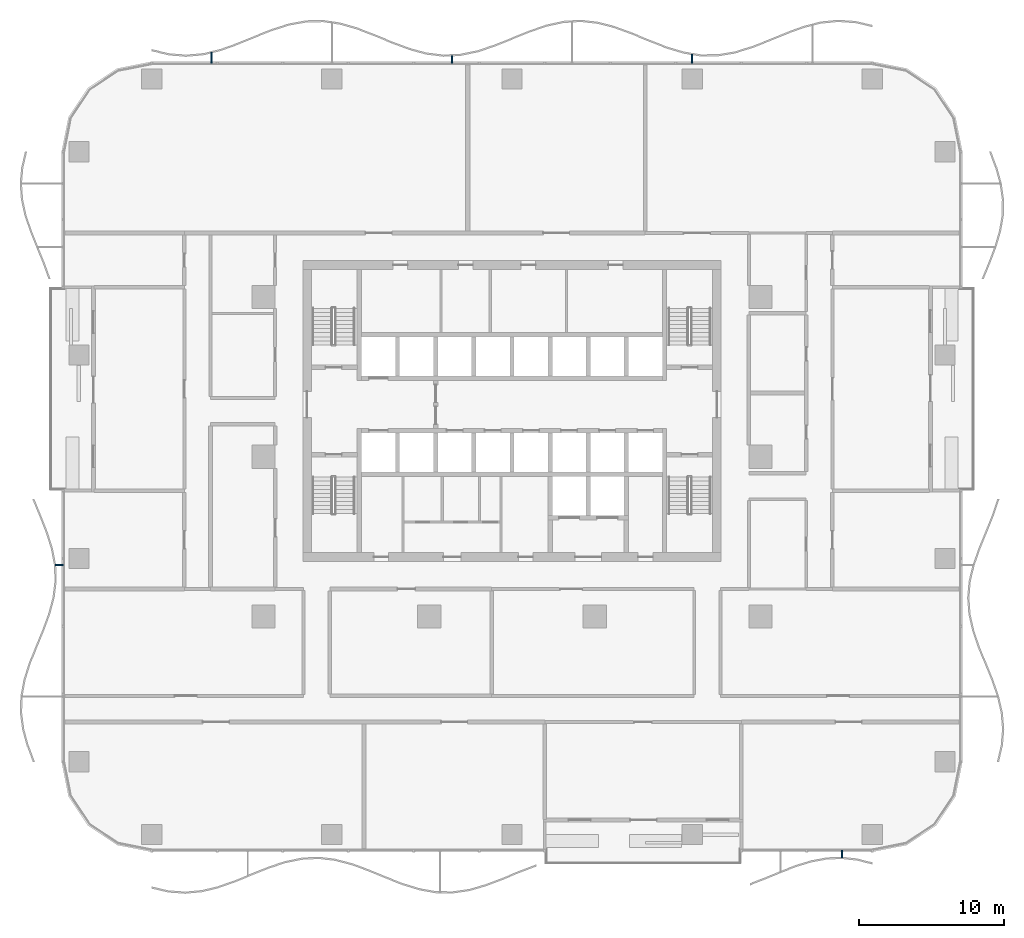
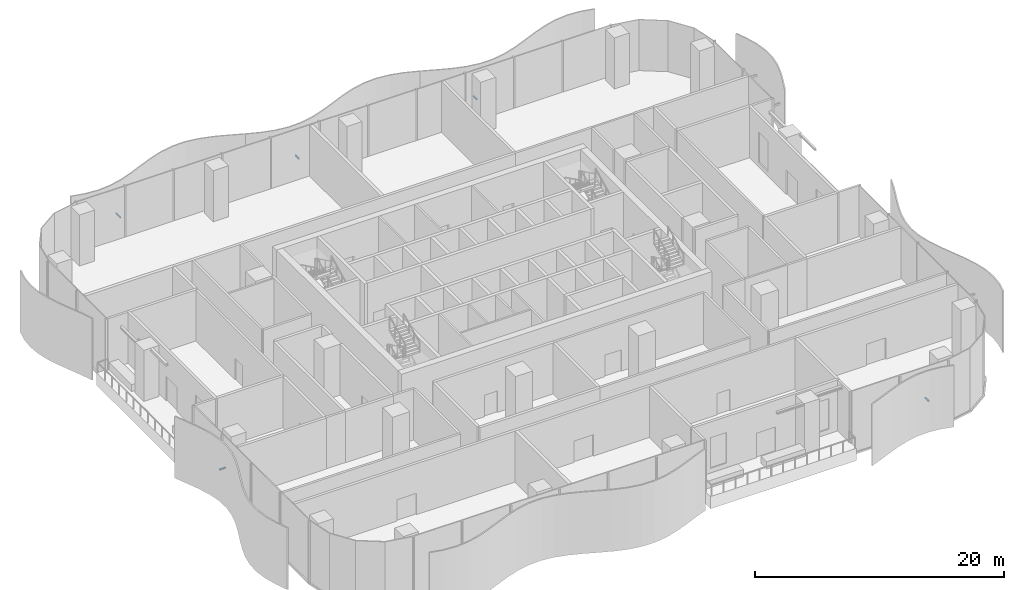
# One storey, part 13 of 21: 5 discrete accessories.
"""IFC4 building model written with IfcOpenShell, lengths in metres."""

from ifc_helpers import new_model, si_unit, direction, frame, origin, origin_2d, place, context, subcontext, project, spatial, rectangle, extrude, material, type_object, element, save


model = new_model("IFC4")

# Units and contexts
model_context = context("Model", 3, precision=1e-05, world=origin(), true_north=direction((0.0, 1.0)))
body_context = subcontext(model_context, "Body", "Model", "MODEL_VIEW")
ifc_project = project(units=[si_unit("LENGTHUNIT", "METRE"), si_unit("AREAUNIT", "SQUARE_METRE"), si_unit("VOLUMEUNIT", "CUBIC_METRE"), si_unit("PLANEANGLEUNIT", "RADIAN"), si_unit("MASSUNIT", "GRAM", prefix="KILO")], contexts=[model_context])

# Site, building, storey
site_placement = place(None, origin())
site = spatial("IfcSite", under=ifc_project, at=site_placement, CompositionType="ELEMENT")
building_placement = place(site_placement, origin())
building = spatial("IfcBuilding", under=site, at=building_placement, Name="Mopane Tessera Tower", CompositionType="ELEMENT")
storey_placement = place(building_placement, frame((0.0, 0.0, 9.0)))
storey = spatial("IfcBuildingStorey", under=building, at=storey_placement, Name="L01", CompositionType="ELEMENT", Elevation=9.0)

# Discrete accessories
ifc_material = material(Name="Stainless steel S316", Category="steel")
discrete_accessory_type = type_object("IfcDiscreteAccessoryType", Name="Louvre bracket 100 x 100", PredefinedType="BRACKET", material=ifc_material)
discrete_accessory_1_placement = place(storey_placement, frame((22.695556640625, -27.34228515625, 1.929931640625), z_axis=(0.0, 0.0, 1.0), x_axis=(0.0, -1.0, 0.0)))
element("IfcDiscreteAccessory", 1, at=discrete_accessory_1_placement, inside=storey, type_object=discrete_accessory_type, Name="e:lv:L01:S:1:br1", PredefinedType="BRACKET", context=body_context, shape_type="SweptSolid", body=[
    extrude(rectangle(XDim=0.5244140625, YDim=0.10009765625, at=origin_2d()), origin(), (0.0, 0.0, 1.0), 0.10009765625),
])
discrete_accessory_2_placement = place(storey_placement, frame((12.39990234375, 27.3876953125, 1.929931640625), z_axis=(0.0, 0.0, 1.0), x_axis=(0.0, 1.0, 0.0)))
element("IfcDiscreteAccessory", 2, at=discrete_accessory_2_placement, inside=storey, type_object=discrete_accessory_type, Name="e:lv:L01:N:0:br1", PredefinedType="BRACKET", context=body_context, shape_type="SweptSolid", body=[
    extrude(rectangle(XDim=0.615478515625, YDim=0.10009765625, at=origin_2d()), origin(), (0.0, 0.0, 1.0), 0.10009765625),
])
discrete_accessory_3_placement = place(storey_placement, frame((-4.13330078125, 27.34375, 1.929931640625), z_axis=(0.0, 0.0, 1.0), x_axis=(0.0, 1.0, 0.0)))
element("IfcDiscreteAccessory", 3, at=discrete_accessory_3_placement, inside=storey, type_object=discrete_accessory_type, Name="e:lv:L01:N:1:br1", PredefinedType="BRACKET", context=body_context, shape_type="SweptSolid", body=[
    extrude(rectangle(XDim=0.52734375, YDim=0.10009765625, at=origin_2d()), origin(), (0.0, 0.0, 1.0), 0.10009765625),
])
discrete_accessory_4_placement = place(storey_placement, frame((-20.666748046875, 27.45263671875, 1.929931640625), z_axis=(0.0, 0.0, 1.0), x_axis=(0.0, 1.0, 0.0)))
element("IfcDiscreteAccessory", 4, at=discrete_accessory_4_placement, inside=storey, type_object=discrete_accessory_type, Name="e:lv:L01:N:2:br1", PredefinedType="BRACKET", context=body_context, shape_type="SweptSolid", body=[
    extrude(rectangle(XDim=0.7451171875, YDim=0.10009765625, at=origin_2d()), origin(), (0.0, 0.0, 1.0), 0.10009765625),
])
discrete_accessory_5_placement = place(storey_placement, frame((-31.163330078125, -7.449951171875, 1.929931640625), z_axis=(0.0, 0.0, 1.0), x_axis=(-1.0, 0.0, 0.0)))
element("IfcDiscreteAccessory", 5, at=discrete_accessory_5_placement, inside=storey, type_object=discrete_accessory_type, Name="e:lv:L01:W:1:br0", PredefinedType="BRACKET", context=body_context, shape_type="SweptSolid", body=[
    extrude(rectangle(XDim=0.56640625, YDim=0.10009765625, at=origin_2d()), origin(), (0.0, 0.0, 1.0), 0.10009765625),
])

save(model, "model.ifc")
